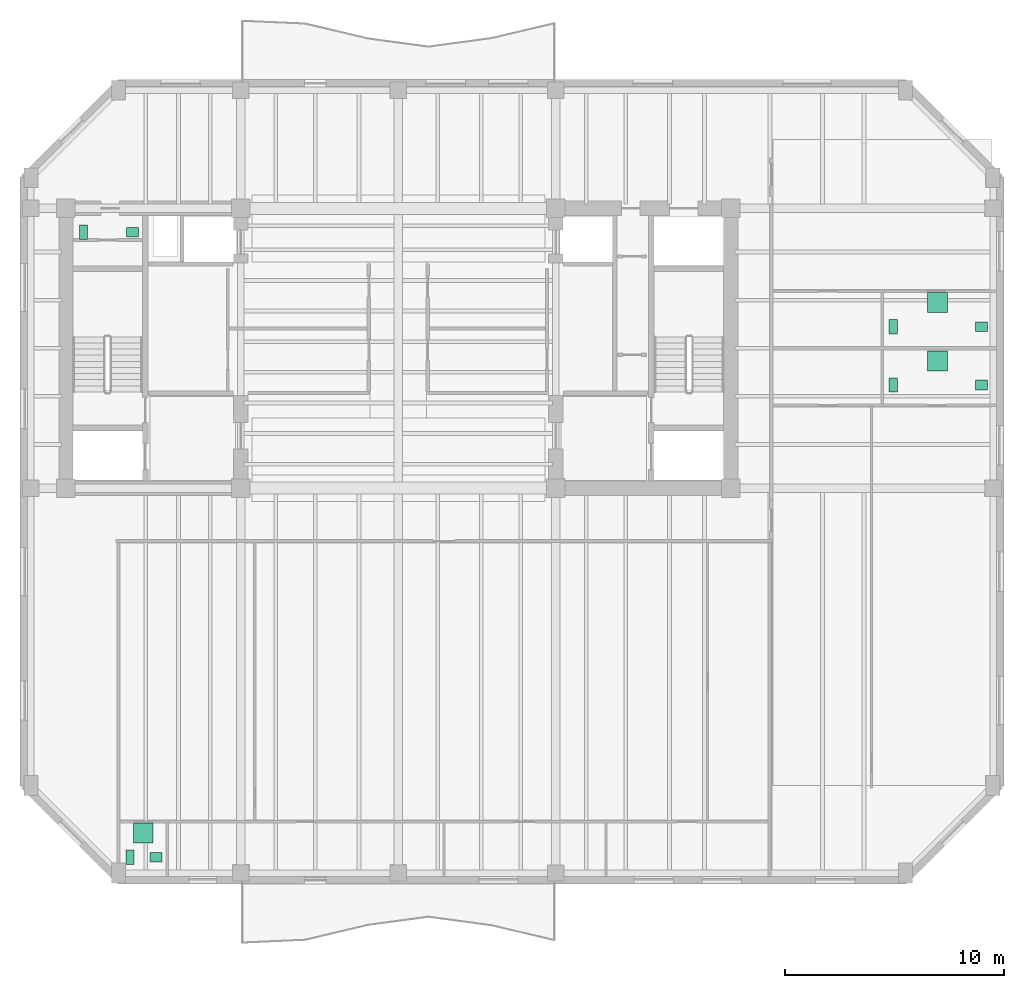
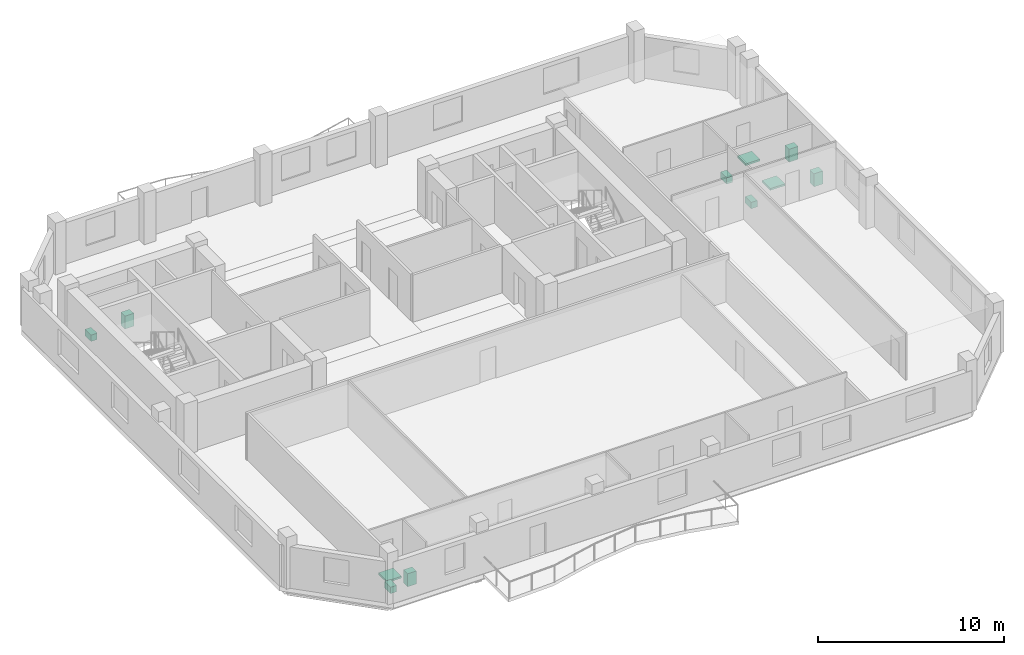
# One storey, part 9 of 9: 11 sanitary terminals.
"""IFC4 building model written with IfcOpenShell, lengths in metres."""

from ifc_helpers import new_model, si_unit, direction, frame, origin, origin_2d, place, context, subcontext, project, spatial, rectangle, extrude, material, type_object, element, save


model = new_model("IFC4")

# Units and contexts
model_context = context("Model", 3, precision=1e-05, world=origin(), true_north=direction((0.0, 1.0)))
body_context = subcontext(model_context, "Body", "Model", "MODEL_VIEW")
ifc_project = project(units=[si_unit("LENGTHUNIT", "METRE"), si_unit("AREAUNIT", "SQUARE_METRE"), si_unit("VOLUMEUNIT", "CUBIC_METRE"), si_unit("PLANEANGLEUNIT", "RADIAN"), si_unit("MASSUNIT", "GRAM", prefix="KILO")], contexts=[model_context])

# Site, building, storey
site_placement = place(None, origin())
site = spatial("IfcSite", under=ifc_project, at=site_placement, CompositionType="ELEMENT")
building_placement = place(site_placement, origin())
building = spatial("IfcBuilding", under=site, at=building_placement, Name="Kranthara Brick Stack", CompositionType="ELEMENT")
storey_placement = place(building_placement, frame((0.0, 0.0, 238.10009765625)))
storey = spatial("IfcBuildingStorey", under=building, at=storey_placement, Name="L62", CompositionType="ELEMENT", Elevation=238.10009765625)

# Sanitary terminals
ifc_material_1 = material(Name="Vitreous china sanitary porcelain", Category="other")
sanitary_terminal_type_1 = type_object("IfcSanitaryTerminalType", Name="SAN-BASIN", PredefinedType="WASHHANDBASIN", material=ifc_material_1)
for number, where, z_axis, x_axis, name in (
    (1, (15.85009765625, 32.5048828125, -0.000244140625), (0.0, 0.0, 1.0), (1.0, 0.0, 0.0), "L62 Washbasin 333"),
    (2, (16.929931640625, 3.925048828125, -0.000244140625), (0.0, 0.0, 1.0), (1.0, 0.0, 0.0), "L62 Washbasin 334"),
    (3, (54.679931640625, 25.514892578125, -0.000244140625), (0.0, 0.0, 1.0), (1.0, 0.0, 0.0), "L62 Washbasin 335"),
    (4, (54.679931640625, 28.18505859375, -0.000244140625), (0.0, 0.0, 1.0), (1.0, 0.0, 0.0), "L62 Washbasin 336"),
):
    element("IfcSanitaryTerminal", number, at=place(storey_placement, frame(where, z_axis=z_axis, x_axis=x_axis)), inside=storey, type_object=sanitary_terminal_type_1, Name=name, PredefinedType="WASHHANDBASIN", context=body_context, shape_type="SweptSolid", body=[
        extrude(rectangle(XDim=0.550048828125, YDim=0.449951171875, at=origin_2d()), origin(), (0.0, 0.0, 1.0), 0.85009765625),
    ])
ifc_material_2 = material(Name="Acrylic and porcelain shower tray", Category="other")
sanitary_terminal_type_2 = type_object("IfcSanitaryTerminalType", Name="SAN-SHOWER", PredefinedType="SHOWER", material=ifc_material_2)
for number, where, z_axis, x_axis, name in (
    (5, (16.330078125, 5.030029296875, -0.000244140625), (0.0, 0.0, 1.0), (1.0, 0.0, 0.0), "L62 Shower Tray 334"),
    (6, (52.656982421875, 26.6201171875, -0.000244140625), (0.0, 0.0, 1.0), (1.0, 0.0, 0.0), "L62 Shower Tray 335"),
    (7, (52.656982421875, 29.2900390625, -0.000244140625), (0.0, 0.0, 1.0), (1.0, 0.0, 0.0), "L62 Shower Tray 336"),
):
    element("IfcSanitaryTerminal", number, at=place(storey_placement, frame(where, z_axis=z_axis, x_axis=x_axis)), inside=storey, type_object=sanitary_terminal_type_2, Name=name, PredefinedType="SHOWER", context=body_context, shape_type="SweptSolid", body=[
        extrude(rectangle(XDim=0.89990234375, YDim=0.89990234375, at=origin_2d()), origin(), (0.0, 0.0, 1.0), 0.1201171875),
    ])
ifc_material_3 = material(Name="Vitreous china sanitary porcelain", Category="other")
sanitary_terminal_type_3 = type_object("IfcSanitaryTerminalType", Name="SAN-WC-PAN", PredefinedType="TOILETPAN", material=ifc_material_3)
for number, where, z_axis, x_axis, name in (
    (8, (13.60009765625, 32.5048828125, 0.0), (0.0, 0.0, 1.0), (1.0, 0.0, 0.0), "L62 WC Pan 333"),
    (9, (15.72998046875, 3.925048828125, 0.0), (0.0, 0.0, 1.0), (1.0, 0.0, 0.0), "L62 WC Pan 334"),
    (10, (50.635009765625, 25.514892578125, 0.0), (0.0, 0.0, 1.0), (1.0, 0.0, 0.0), "L62 WC Pan 335"),
    (11, (50.635009765625, 28.18505859375, 0.0), (0.0, 0.0, 1.0), (1.0, 0.0, 0.0), "L62 WC Pan 336"),
):
    element("IfcSanitaryTerminal", number, at=place(storey_placement, frame(where, z_axis=z_axis, x_axis=x_axis)), inside=storey, type_object=sanitary_terminal_type_3, Name=name, PredefinedType="TOILETPAN", context=body_context, shape_type="SweptSolid", body=[
        extrude(rectangle(XDim=0.3798828125, YDim=0.64990234375, at=origin_2d()), origin(), (0.0, 0.0, 1.0), 0.419921875),
    ])

save(model, "model.ifc")
